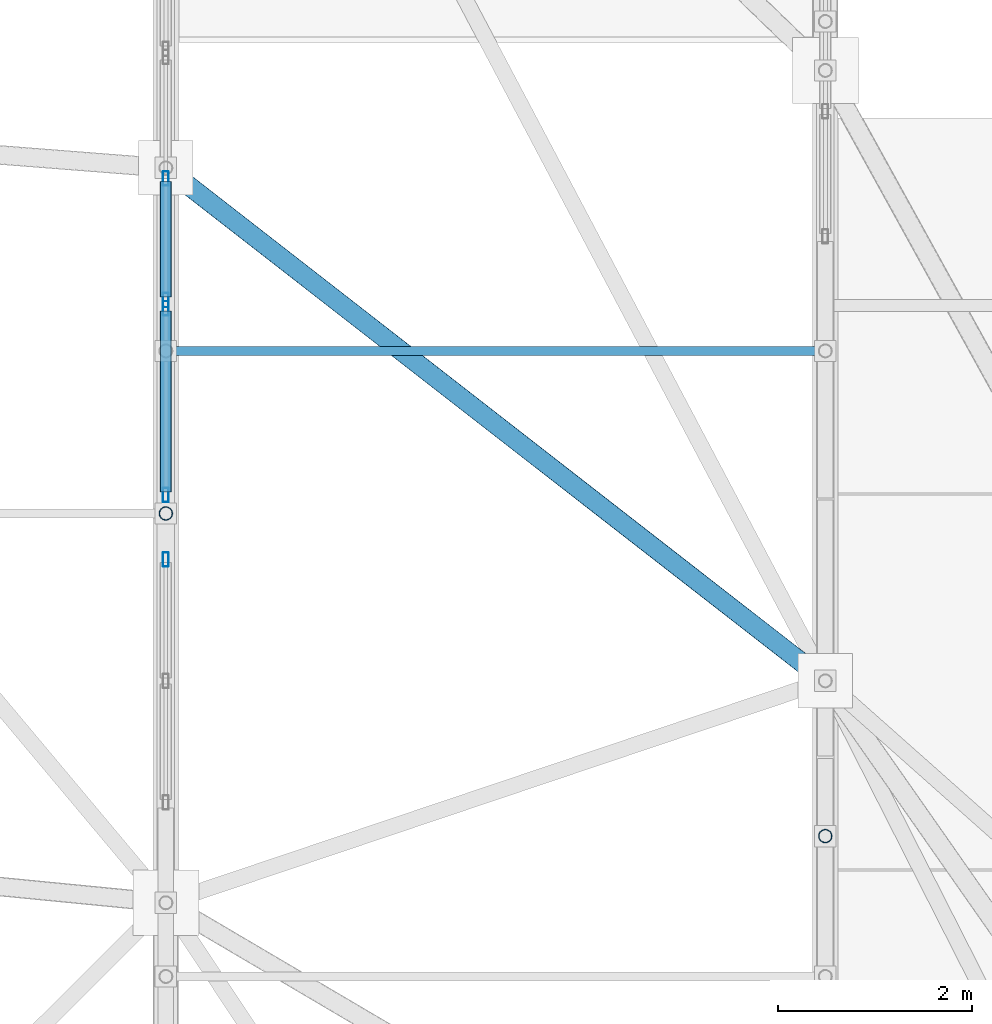
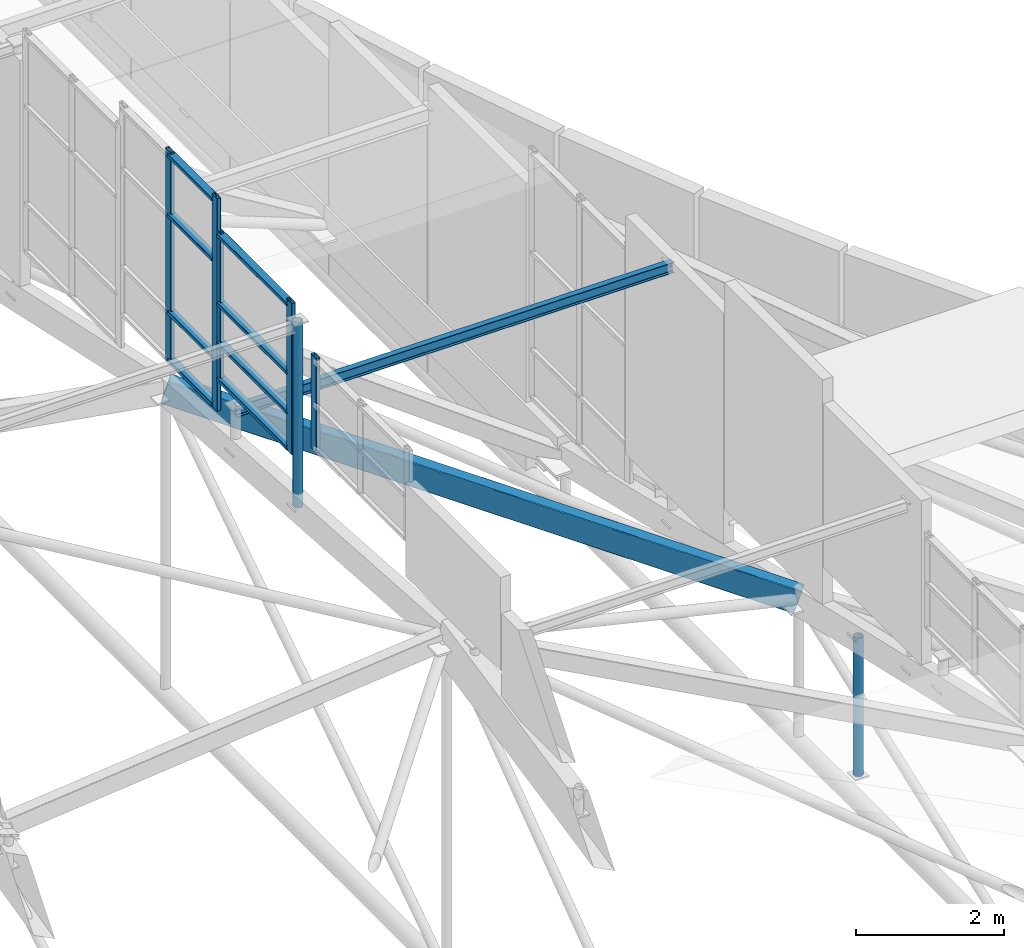
# One storey, part 25 of 188: 17 members, 3 elements without a shape of their own.
"""IFC4 building model written with IfcOpenShell, lengths in metres."""

from ifc_helpers import new_model, si_unit, direction, frame, origin, origin_2d, place, context, subcontext, project, spatial, hollow_rectangle, hollow_circle, i_section, extrude, material, layer, layer_set, material_profile, profile_set, type_object, element, aggregate, save


model = new_model("IFC4")

# Units and contexts
model_context = context("Model", 3, precision=1e-05, world=origin(), true_north=direction((0.0, 1.0)))
body_context = subcontext(model_context, "Body", "Model", "MODEL_VIEW")
ifc_project = project(units=[si_unit("LENGTHUNIT", "METRE"), si_unit("AREAUNIT", "SQUARE_METRE"), si_unit("VOLUMEUNIT", "CUBIC_METRE"), si_unit("PLANEANGLEUNIT", "RADIAN"), si_unit("MASSUNIT", "GRAM", prefix="KILO")], contexts=[model_context])

# Site, building, storey
site_placement = place(None, origin())
site = spatial("IfcSite", under=ifc_project, at=site_placement, CompositionType="ELEMENT")
building_placement = place(site_placement, origin())
building = spatial("IfcBuilding", under=site, at=building_placement, Name="Kisaragi Civic Commons", CompositionType="ELEMENT")
storey_placement = place(building_placement, frame((0.0, 0.0, 9.60009765625)))
storey = spatial("IfcBuildingStorey", under=building, at=storey_placement, Name="L02", CompositionType="ELEMENT", Elevation=9.60009765625)

# Curtain wall, member
ifc_material_1 = material(Name="Thermally broken anodized aluminium and low-E double glazing", Category="aluminium")
ifc_layer = layer(ifc_material_1, 0.14990234375, Name="Thermally broken anodized aluminium and low-E double glazing", Category="aluminium")
ifc_layer_set = layer_set([ifc_layer], Name="Thermally broken anodized aluminium and low-E double glazing")
curtain_wall_type = type_object("IfcCurtainWallType", Name="CW-03", PredefinedType="NOTDEFINED", material=ifc_layer_set)
curtain_wall_1_placement = place(storey_placement, origin())
curtain_wall_1 = element("IfcCurtainWall", 1, at=curtain_wall_1_placement, inside=storey, type_object=curtain_wall_type, Name="L02 curtain wall CW-03 CW-CL-V1-158", PredefinedType="NOTDEFINED")
ifc_material_profile_1 = material_profile(ifc_material_1, hollow_rectangle(XDim=0.06005859375, YDim=0.14990234375, WallThickness=0.00390625, InnerFilletRadius=0.00390625, OuterFilletRadius=0.008056640625, at=origin_2d()), Name="CWM-60x150x4", Category="aluminium")
ifc_profile_set_1 = profile_set([ifc_material_profile_1], Name="Thermally broken anodized aluminium and low-E double glazing")
member_type_1 = type_object("IfcMemberType", Name="CWM-01", PredefinedType="MULLION", material=ifc_profile_set_1)
member_1_placement = place(storey_placement, frame((20.39990234375, 28.052001953125, 5.97412109375), z_axis=(0.0, 0.0, 1.0), x_axis=(-1.0, 0.0, 0.0)))
member_1 = element("IfcMember", 2, at=member_1_placement, type_object=member_type_1, Name="CW-03 mullion 3", PredefinedType="MULLION", context=body_context, shape_type="SweptSolid", body=[
    extrude(hollow_rectangle(XDim=0.06005859375, YDim=0.14990234375, WallThickness=0.00390625, InnerFilletRadius=0.00390625, OuterFilletRadius=0.008056640625, at=origin_2d()), origin(), (0.0, 0.0, 1.0), 1.55029296875),
])
aggregate(curtain_wall_1, [member_1])

# Curtain wall, members
curtain_wall_2_placement = place(storey_placement, origin())
curtain_wall_2 = element("IfcCurtainWall", 3, at=curtain_wall_2_placement, inside=storey, type_object=curtain_wall_type, Name="L02 curtain wall CW-03 CW-CL-V1-159", PredefinedType="NOTDEFINED")
member_2_placement = place(storey_placement, frame((20.39990234375, 28.716552734375, 5.5400390625), z_axis=(0.0, 0.0, 1.0), x_axis=(-1.0, 0.0, 0.0)))
member_2 = element("IfcMember", 4, at=member_2_placement, type_object=member_type_1, Name="CW-03 mullion 1", PredefinedType="MULLION", context=body_context, shape_type="SweptSolid", body=[
    extrude(hollow_rectangle(XDim=0.06005859375, YDim=0.14990234375, WallThickness=0.00390625, InnerFilletRadius=0.00390625, OuterFilletRadius=0.008056640625, at=origin_2d()), origin(), (0.0, 0.0, 1.0), 2.48779296875),
])
member_3_placement = place(storey_placement, frame((20.39990234375, 30.642578125, 5.5400390625), z_axis=(0.0, 0.0, 1.0), x_axis=(-1.0, 0.0, 0.0)))
member_3 = element("IfcMember", 5, at=member_3_placement, type_object=member_type_1, Name="CW-03 mullion 2", PredefinedType="MULLION", context=body_context, shape_type="SweptSolid", body=[
    extrude(hollow_rectangle(XDim=0.06005859375, YDim=0.14990234375, WallThickness=0.00390625, InnerFilletRadius=0.00390625, OuterFilletRadius=0.008056640625, at=origin_2d()), origin(), (0.0, 0.0, 1.0), 2.48779296875),
])

curtain_wall_3_placement = place(storey_placement, origin())
curtain_wall_3 = element("IfcCurtainWall", 6, at=curtain_wall_3_placement, inside=storey, type_object=curtain_wall_type, Name="L02 curtain wall CW-03 CW-CL-V1-160", PredefinedType="NOTDEFINED")
member_4_placement = place(storey_placement, frame((20.39990234375, 30.7265625, 5.03662109375), z_axis=(0.0, 0.0, 1.0), x_axis=(-1.0, 0.0, 0.0)))
member_4 = element("IfcMember", 7, at=member_4_placement, type_object=member_type_1, Name="CW-03 mullion 1", PredefinedType="MULLION", context=body_context, shape_type="SweptSolid", body=[
    extrude(hollow_rectangle(XDim=0.06005859375, YDim=0.14990234375, WallThickness=0.00390625, InnerFilletRadius=0.00390625, OuterFilletRadius=0.008056640625, at=origin_2d()), origin(), (0.0, 0.0, 1.0), 3.494873046875),
])
member_5_placement = place(storey_placement, frame((20.39990234375, 31.979736328125, 5.03662109375), z_axis=(0.0, 0.0, 1.0), x_axis=(-1.0, 0.0, 0.0)))
member_5 = element("IfcMember", 8, at=member_5_placement, type_object=member_type_1, Name="CW-03 mullion 2", PredefinedType="MULLION", context=body_context, shape_type="SweptSolid", body=[
    extrude(hollow_rectangle(XDim=0.06005859375, YDim=0.14990234375, WallThickness=0.00390625, InnerFilletRadius=0.00390625, OuterFilletRadius=0.008056640625, at=origin_2d()), origin(), (0.0, 0.0, 1.0), 3.494873046875),
])

# Member
ifc_material_profile_2 = material_profile(ifc_material_1, hollow_rectangle(XDim=0.1201171875, YDim=0.06005859375, WallThickness=0.00390625, InnerFilletRadius=0.00390625, OuterFilletRadius=0.008056640625, at=origin_2d()), Name="CWT-60x120x4", Category="aluminium")
ifc_profile_set_2 = profile_set([ifc_material_profile_2], Name="Thermally broken anodized aluminium and low-E double glazing")
member_type_2 = type_object("IfcMemberType", Name="CWT-01", PredefinedType="USERDEFINED", material=ifc_profile_set_2)
member_6_placement = place(storey_placement, frame((20.39990234375, 28.74658203125, 5.60009765625), z_axis=(0.0, 1.0, 0.0), x_axis=(-1.0, 0.0, 0.0)))
member_6 = element("IfcMember", 9, at=member_6_placement, type_object=member_type_2, Name="CW-03 transom 1.1", ObjectType="TRANSOM", PredefinedType="USERDEFINED", context=body_context, shape_type="SweptSolid", body=[
    extrude(hollow_rectangle(XDim=0.1201171875, YDim=0.06005859375, WallThickness=0.00390625, InnerFilletRadius=0.00390625, OuterFilletRadius=0.008056640625, at=origin_2d()), origin(), (0.0, 0.0, 1.0), 1.865966796875),
])

member_7_placement = place(storey_placement, frame((20.39990234375, 28.74658203125, 6.190185546875), z_axis=(0.0, 1.0, 0.0), x_axis=(-1.0, 0.0, 0.0)))
member_7 = element("IfcMember", 10, at=member_7_placement, type_object=member_type_2, Name="CW-03 transom 1.2", ObjectType="TRANSOM", PredefinedType="USERDEFINED", context=body_context, shape_type="SweptSolid", body=[
    extrude(hollow_rectangle(XDim=0.1201171875, YDim=0.06005859375, WallThickness=0.00390625, InnerFilletRadius=0.00390625, OuterFilletRadius=0.008056640625, at=origin_2d()), origin(), (0.0, 0.0, 1.0), 1.865966796875),
])

member_8_placement = place(storey_placement, frame((20.39990234375, 28.74658203125, 6.840087890625), z_axis=(0.0, 1.0, 0.0), x_axis=(-1.0, 0.0, 0.0)))
member_8 = element("IfcMember", 11, at=member_8_placement, type_object=member_type_2, Name="CW-03 transom 1.3", ObjectType="TRANSOM", PredefinedType="USERDEFINED", context=body_context, shape_type="SweptSolid", body=[
    extrude(hollow_rectangle(XDim=0.1201171875, YDim=0.06005859375, WallThickness=0.00390625, InnerFilletRadius=0.00390625, OuterFilletRadius=0.008056640625, at=origin_2d()), origin(), (0.0, 0.0, 1.0), 1.865966796875),
])

member_9_placement = place(storey_placement, frame((20.39990234375, 28.74658203125, 7.968017578125), z_axis=(0.0, 1.0, 0.0), x_axis=(-1.0, 0.0, 0.0)))
member_9 = element("IfcMember", 12, at=member_9_placement, type_object=member_type_2, Name="CW-03 transom 1.4", ObjectType="TRANSOM", PredefinedType="USERDEFINED", context=body_context, shape_type="SweptSolid", body=[
    extrude(hollow_rectangle(XDim=0.1201171875, YDim=0.06005859375, WallThickness=0.00390625, InnerFilletRadius=0.00390625, OuterFilletRadius=0.008056640625, at=origin_2d()), origin(), (0.0, 0.0, 1.0), 1.865966796875),
])

aggregate(curtain_wall_2, [member_2, member_3, member_6, member_7, member_8, member_9])

member_10_placement = place(storey_placement, frame((20.39990234375, 30.756591796875, 5.0966796875), z_axis=(0.0, 1.0, 0.0), x_axis=(-1.0, 0.0, 0.0)))
member_10 = element("IfcMember", 13, at=member_10_placement, type_object=member_type_2, Name="CW-03 transom 1.1", ObjectType="TRANSOM", PredefinedType="USERDEFINED", context=body_context, shape_type="SweptSolid", body=[
    extrude(hollow_rectangle(XDim=0.1201171875, YDim=0.06005859375, WallThickness=0.00390625, InnerFilletRadius=0.00390625, OuterFilletRadius=0.008056640625, at=origin_2d()), origin(), (0.0, 0.0, 1.0), 1.193115234375),
])

member_11_placement = place(storey_placement, frame((20.39990234375, 30.756591796875, 5.88671875), z_axis=(0.0, 1.0, 0.0), x_axis=(-1.0, 0.0, 0.0)))
member_11 = element("IfcMember", 14, at=member_11_placement, type_object=member_type_2, Name="CW-03 transom 1.2", ObjectType="TRANSOM", PredefinedType="USERDEFINED", context=body_context, shape_type="SweptSolid", body=[
    extrude(hollow_rectangle(XDim=0.1201171875, YDim=0.06005859375, WallThickness=0.00390625, InnerFilletRadius=0.00390625, OuterFilletRadius=0.008056640625, at=origin_2d()), origin(), (0.0, 0.0, 1.0), 1.193115234375),
])

member_12_placement = place(storey_placement, frame((20.39990234375, 30.756591796875, 7.486572265625), z_axis=(0.0, 1.0, 0.0), x_axis=(-1.0, 0.0, 0.0)))
member_12 = element("IfcMember", 15, at=member_12_placement, type_object=member_type_2, Name="CW-03 transom 1.3", ObjectType="TRANSOM", PredefinedType="USERDEFINED", context=body_context, shape_type="SweptSolid", body=[
    extrude(hollow_rectangle(XDim=0.1201171875, YDim=0.06005859375, WallThickness=0.00390625, InnerFilletRadius=0.00390625, OuterFilletRadius=0.008056640625, at=origin_2d()), origin(), (0.0, 0.0, 1.0), 1.193115234375),
])

member_13_placement = place(storey_placement, frame((20.39990234375, 30.756591796875, 8.471435546875), z_axis=(0.0, 1.0, 0.0), x_axis=(-1.0, 0.0, 0.0)))
member_13 = element("IfcMember", 16, at=member_13_placement, type_object=member_type_2, Name="CW-03 transom 1.4", ObjectType="TRANSOM", PredefinedType="USERDEFINED", context=body_context, shape_type="SweptSolid", body=[
    extrude(hollow_rectangle(XDim=0.1201171875, YDim=0.06005859375, WallThickness=0.00390625, InnerFilletRadius=0.00390625, OuterFilletRadius=0.008056640625, at=origin_2d()), origin(), (0.0, 0.0, 1.0), 1.193115234375),
])

aggregate(curtain_wall_3, [member_4, member_5, member_10, member_11, member_12, member_13])

# Members
ifc_material_2 = material(Name="Steel SN490 (SN490B)", Category="steel")
ifc_material_profile_3 = material_profile(ifc_material_2, hollow_rectangle(XDim=0.199951171875, YDim=0.39990234375, WallThickness=0.011962890625, InnerFilletRadius=0.011962890625, OuterFilletRadius=0.02392578125, at=origin_2d()), Name="STKR-400x200x12", Category="steel")
ifc_profile_set_3 = profile_set([ifc_material_profile_3], Name="Steel SN490 (SN490B)")
member_type_3 = type_object("IfcMemberType", Name="GC-01", PredefinedType="CHORD", material=ifc_profile_set_3)
member_14_placement = place(storey_placement, frame((20.39990234375, 32.090087890625, 4.529296875), z_axis=(0.754896232176, -0.587210776804, -0.292087627694), x_axis=(0.613985736402, 0.789317119727, 0.0)))
element("IfcMember", 17, at=member_14_placement, inside=storey, type_object=member_type_3, Name="V1 wave gridshell chord GC-01 25", PredefinedType="CHORD", context=body_context, shape_type="SweptSolid", body=[
    extrude(hollow_rectangle(XDim=0.199951171875, YDim=0.39990234375, WallThickness=0.011962890625, InnerFilletRadius=0.011962890625, OuterFilletRadius=0.02392578125, at=origin_2d()), origin(), (0.0, 0.0, 1.0), 9.0078125),
])
ifc_material_3 = material(Name="Steel SN400 (SN400B)", Category="steel")
ifc_material_profile_4 = material_profile(ifc_material_3, i_section(OverallWidth=0.090087890625, OverallDepth=0.175048828125, WebThickness=0.0048828125, FlangeThickness=0.008056640625, FilletRadius=0.008056640625, at=origin_2d()), Name="H-175x90x5x8", Category="steel")
ifc_profile_set_4 = profile_set([ifc_material_profile_4], Name="Steel SN400 (SN400B)")
member_type_4 = type_object("IfcMemberType", Name="PR-03", PredefinedType="PURLIN", material=ifc_profile_set_4)
member_15_placement = place(storey_placement, frame((20.39990234375, 30.202880859375, 5.318115234375), z_axis=(1.0, 0.0, 0.0), x_axis=(0.0, 1.0, 0.0)))
element("IfcMember", 18, at=member_15_placement, inside=storey, type_object=member_type_4, Name="V1 wave vault steel purlin 29", PredefinedType="PURLIN", context=body_context, shape_type="SweptSolid", body=[
    extrude(i_section(OverallWidth=0.090087890625, OverallDepth=0.175048828125, WebThickness=0.0048828125, FlangeThickness=0.008056640625, FilletRadius=0.008056640625, at=origin_2d()), origin(), (0.0, 0.0, 1.0), 6.800048828125),
])
ifc_material_profile_5 = material_profile(ifc_material_2, hollow_circle(Radius=0.06982421875, WallThickness=0.006103515625, at=origin_2d()), Name="CHS-139.8x6.0", Category="steel")
ifc_profile_set_5 = profile_set([ifc_material_profile_5], Name="Steel SN490 (SN490B)")
member_type_5 = type_object("IfcMemberType", Name="ST-H1", PredefinedType="STRUT", material=ifc_profile_set_5)
member_16_placement = place(storey_placement, frame((27.199951171875, 25.199951171875, -0.02001953125), z_axis=(0.0, 0.0, 1.0), x_axis=(1.0, 0.0, 0.0)))
element("IfcMember", 19, at=member_16_placement, inside=storey, type_object=member_type_5, Name="V1 interior column arch support post (27.2,25.2)", PredefinedType="STRUT", context=body_context, shape_type="SweptSolid", body=[
    extrude(hollow_circle(Radius=0.06982421875, WallThickness=0.006103515625, at=origin_2d()), origin(), (0.0, 0.0, 1.0), 2.287841796875),
])
member_17_placement = place(storey_placement, frame((20.39990234375, 28.526611328125, 4.771240234375), z_axis=(0.0, 0.0, 1.0), x_axis=(1.0, 0.0, 0.0)))
element("IfcMember", 20, at=member_17_placement, inside=storey, type_object=member_type_5, Name="V1 clerestory monitor horizontal tie strut 3.3.4", PredefinedType="STRUT", context=body_context, shape_type="SweptSolid", body=[
    extrude(hollow_circle(Radius=0.06982421875, WallThickness=0.006103515625, at=origin_2d()), origin(), (0.0, 0.0, 1.0), 3.052490234375),
])

save(model, "model.ifc")
